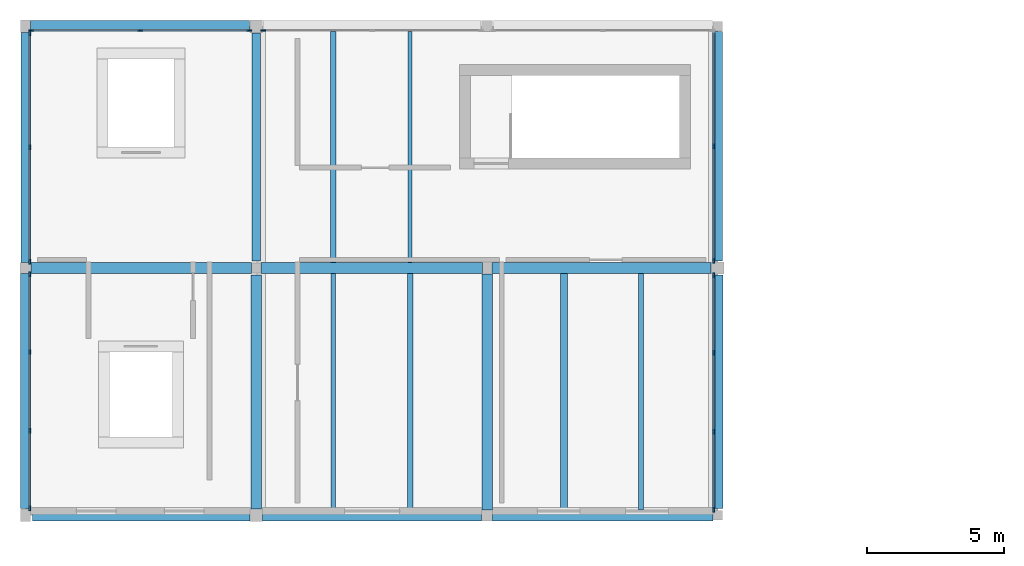
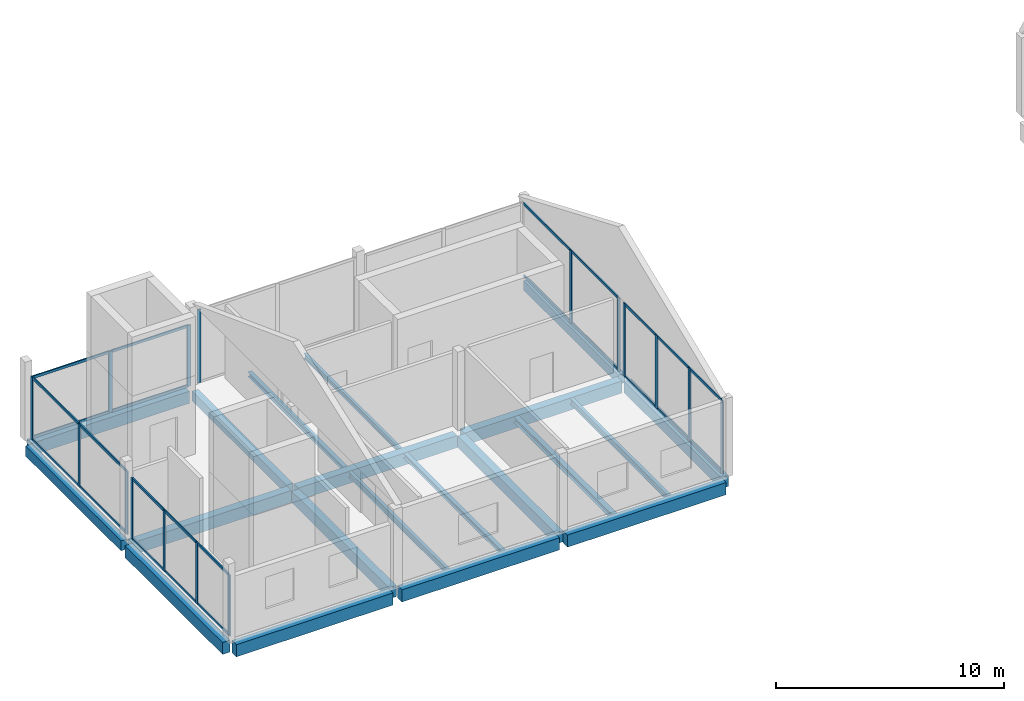
# One storey, part 2 of 13: 41 members, 20 beams, 6 elements without a shape of their own.
"""IFC4 building model written with IfcOpenShell, lengths in metres."""

from ifc_helpers import new_model, si_unit, direction, frame, origin, origin_2d, place, context, subcontext, project, spatial, rectangle, i_section, extrude, material, layer, layer_set, material_profile, profile_set, type_object, element, aggregate, save


model = new_model("IFC4")

# Units and contexts
model_context = context("Model", 3, precision=1e-05, world=origin(), true_north=direction((0.0, 1.0)))
body_context = subcontext(model_context, "Body", "Model", "MODEL_VIEW")
ifc_project = project(units=[si_unit("LENGTHUNIT", "METRE"), si_unit("AREAUNIT", "SQUARE_METRE"), si_unit("VOLUMEUNIT", "CUBIC_METRE"), si_unit("PLANEANGLEUNIT", "RADIAN"), si_unit("MASSUNIT", "GRAM", prefix="KILO")], contexts=[model_context])

# Site, building, storey
site_placement = place(None, origin())
site = spatial("IfcSite", under=ifc_project, at=site_placement, CompositionType="ELEMENT")
building_placement = place(site_placement, origin())
building = spatial("IfcBuilding", under=site, at=building_placement, Name="Birchvale Park Specialist Clinic", CompositionType="ELEMENT")
storey_placement = place(building_placement, frame((0.0, 0.0, 22.199951171875)))
storey = spatial("IfcBuildingStorey", under=building, at=storey_placement, Name="L05", CompositionType="ELEMENT", Elevation=22.199951171875)

# Beams
ifc_material_1 = material(Name="Concrete C40/50", Category="concrete")
ifc_material_profile_1 = material_profile(ifc_material_1, rectangle(XDim=0.3798828125, YDim=0.639892578125, at=origin_2d()), Name="RCB-380x640")
ifc_profile_set_1 = profile_set([ifc_material_profile_1], Name="Concrete C40/50")
beam_type_1 = type_object("IfcBeamType", Name="BM-EXT-BG5", PredefinedType="BEAM", material=ifc_profile_set_1)
beam_1_placement = place(storey_placement, frame((11.199951171875, 17.050048828125, -0.579833984375), z_axis=(0.0, 1.0, 0.0), x_axis=(-1.0, 0.0, 0.0)))
element("IfcBeam", 1, at=beam_1_placement, inside=storey, type_object=beam_type_1, Name="V2 L05 Y girder 10", PredefinedType="BEAM", context=body_context, shape_type="SweptSolid", body=[
    extrude(rectangle(XDim=0.3798828125, YDim=0.639892578125, at=origin_2d()), origin(), (0.0, 0.0, 1.0), 8.550048828125),
])
ifc_material_profile_2 = material_profile(ifc_material_1, rectangle(XDim=0.320068359375, YDim=0.5400390625, at=origin_2d()), Name="RCB-320x540")
ifc_profile_set_2 = profile_set([ifc_material_profile_2], Name="Concrete C40/50")
beam_type_2 = type_object("IfcBeamType", Name="BM-EXT-BG7", PredefinedType="BEAM", material=ifc_profile_set_2)
beam_2_placement = place(storey_placement, frame((11.199951171875, 26.0, -0.530029296875), z_axis=(0.0, 1.0, 0.0), x_axis=(-1.0, 0.0, 0.0)))
element("IfcBeam", 2, at=beam_2_placement, inside=storey, type_object=beam_type_2, Name="V2 L05 Y girder 11", PredefinedType="BEAM", context=body_context, shape_type="SweptSolid", body=[
    extrude(rectangle(XDim=0.320068359375, YDim=0.5400390625, at=origin_2d()), origin(), (0.0, 0.0, 1.0), 8.375),
])
ifc_material_profile_3 = material_profile(ifc_material_1, rectangle(XDim=0.39990234375, YDim=0.64990234375, at=origin_2d()), Name="RCB-400x650")
ifc_profile_set_3 = profile_set([ifc_material_profile_3], Name="Concrete C40/50")
beam_type_3 = type_object("IfcBeamType", Name="BM-INT-BG4", PredefinedType="BEAM", material=ifc_profile_set_3)
beam_3_placement = place(storey_placement, frame((11.449951171875, 16.800048828125, -0.5849609375), z_axis=(1.0, 0.0, 0.0), x_axis=(0.0, 1.0, 0.0)))
element("IfcBeam", 3, at=beam_3_placement, inside=storey, type_object=beam_type_3, Name="V2 L05 X girder 1", PredefinedType="BEAM", context=body_context, shape_type="SweptSolid", body=[
    extrude(rectangle(XDim=0.39990234375, YDim=0.64990234375, at=origin_2d()), origin(), (0.0, 0.0, 1.0), 7.925048828125),
])
beam_4_placement = place(storey_placement, frame((19.824951171875, 16.800048828125, -0.5849609375), z_axis=(1.0, 0.0, 0.0), x_axis=(0.0, 1.0, 0.0)))
element("IfcBeam", 4, at=beam_4_placement, inside=storey, type_object=beam_type_3, Name="V2 L05 X girder 2", PredefinedType="BEAM", context=body_context, shape_type="SweptSolid", body=[
    extrude(rectangle(XDim=0.39990234375, YDim=0.64990234375, at=origin_2d()), origin(), (0.0, 0.0, 1.0), 7.97509765625),
])
for number, where, z_axis, x_axis, name in (
    (5, (28.199951171875, 16.800048828125, -0.5849609375), (1.0, 0.0, 0.0), (0.0, 1.0, 0.0), "V2 L05 X girder 3"),
    (6, (11.39990234375, 25.800048828125, -0.5849609375), (1.0, 0.0, 0.0), (0.0, 1.0, 0.0), "V2 L05 X girder 4"),
):
    element("IfcBeam", number, at=place(storey_placement, frame(where, z_axis=z_axis, x_axis=x_axis)), inside=storey, type_object=beam_type_3, Name=name, PredefinedType="BEAM", context=body_context, shape_type="SweptSolid", body=[
        extrude(rectangle(XDim=0.39990234375, YDim=0.64990234375, at=origin_2d()), origin(), (0.0, 0.0, 1.0), 8.025146484375),
    ])
beam_5_placement = place(storey_placement, frame((19.77490234375, 25.800048828125, -0.5849609375), z_axis=(1.0, 0.0, 0.0), x_axis=(0.0, 1.0, 0.0)))
element("IfcBeam", 7, at=beam_5_placement, inside=storey, type_object=beam_type_3, Name="V2 L05 X girder 5", PredefinedType="BEAM", context=body_context, shape_type="SweptSolid", body=[
    extrude(rectangle(XDim=0.39990234375, YDim=0.64990234375, at=origin_2d()), origin(), (0.0, 0.0, 1.0), 8.050048828125),
])
beam_6_placement = place(storey_placement, frame((28.175048828125, 25.800048828125, -0.5849609375), z_axis=(1.0, 0.0, 0.0), x_axis=(0.0, 1.0, 0.0)))
element("IfcBeam", 8, at=beam_6_placement, inside=storey, type_object=beam_type_3, Name="V2 L05 X girder 6", PredefinedType="BEAM", context=body_context, shape_type="SweptSolid", body=[
    extrude(rectangle(XDim=0.39990234375, YDim=0.64990234375, at=origin_2d()), origin(), (0.0, 0.0, 1.0), 7.974853515625),
])
beam_7_placement = place(storey_placement, frame((11.375, 34.60009765625, -0.5849609375), z_axis=(1.0, 0.0, 0.0), x_axis=(0.0, 1.0, 0.0)))
element("IfcBeam", 9, at=beam_7_placement, inside=storey, type_object=beam_type_3, Name="V2 L05 X girder 7", PredefinedType="BEAM", context=body_context, shape_type="SweptSolid", body=[
    extrude(rectangle(XDim=0.39990234375, YDim=0.64990234375, at=origin_2d()), origin(), (0.0, 0.0, 1.0), 7.97509765625),
])
ifc_material_profile_4 = material_profile(ifc_material_1, rectangle(XDim=0.3798828125, YDim=0.60009765625, at=origin_2d()), Name="RCB-380x600")
ifc_profile_set_4 = profile_set([ifc_material_profile_4], Name="Concrete C40/50")
beam_type_4 = type_object("IfcBeamType", Name="BM-INT-BG5", PredefinedType="BEAM", material=ifc_profile_set_4)
beam_8_placement = place(storey_placement, frame((19.60009765625, 17.02490234375, -0.56005859375), z_axis=(0.0, 1.0, 0.0), x_axis=(-1.0, 0.0, 0.0)))
element("IfcBeam", 10, at=beam_8_placement, inside=storey, type_object=beam_type_4, Name="V2 L05 Y girder 12", PredefinedType="BEAM", context=body_context, shape_type="SweptSolid", body=[
    extrude(rectangle(XDim=0.3798828125, YDim=0.60009765625, at=origin_2d()), origin(), (0.0, 0.0, 1.0), 8.525146484375),
])
beam_9_placement = place(storey_placement, frame((28.0, 17.0, -0.56005859375), z_axis=(0.0, 1.0, 0.0), x_axis=(-1.0, 0.0, 0.0)))
element("IfcBeam", 11, at=beam_9_placement, inside=storey, type_object=beam_type_4, Name="V2 L05 Y girder 14", PredefinedType="BEAM", context=body_context, shape_type="SweptSolid", body=[
    extrude(rectangle(XDim=0.3798828125, YDim=0.60009765625, at=origin_2d()), origin(), (0.0, 0.0, 1.0), 8.574951171875),
])
beam_10_placement = place(storey_placement, frame((36.39990234375, 17.050048828125, -0.56005859375), z_axis=(0.0, 1.0, 0.0), x_axis=(-1.0, 0.0, 0.0)))
element("IfcBeam", 12, at=beam_10_placement, inside=storey, type_object=beam_type_4, Name="V2 L05 Y girder 15", PredefinedType="BEAM", context=body_context, shape_type="SweptSolid", body=[
    extrude(rectangle(XDim=0.3798828125, YDim=0.60009765625, at=origin_2d()), origin(), (0.0, 0.0, 1.0), 8.5),
])
ifc_material_profile_5 = material_profile(ifc_material_1, rectangle(XDim=0.320068359375, YDim=0.5, at=origin_2d()), Name="RCB-320x500")
ifc_profile_set_5 = profile_set([ifc_material_profile_5], Name="Concrete C40/50")
beam_type_5 = type_object("IfcBeamType", Name="BM-INT-BG7", PredefinedType="BEAM", material=ifc_profile_set_5)
beam_11_placement = place(storey_placement, frame((19.60009765625, 26.050048828125, -0.510009765625), z_axis=(0.0, 1.0, 0.0), x_axis=(-1.0, 0.0, 0.0)))
element("IfcBeam", 13, at=beam_11_placement, inside=storey, type_object=beam_type_5, Name="V2 L05 Y girder 13", PredefinedType="BEAM", context=body_context, shape_type="SweptSolid", body=[
    extrude(rectangle(XDim=0.320068359375, YDim=0.5, at=origin_2d()), origin(), (0.0, 0.0, 1.0), 8.300048828125),
])
beam_12_placement = place(storey_placement, frame((36.39990234375, 26.050048828125, -0.510009765625), z_axis=(0.0, 1.0, 0.0), x_axis=(-1.0, 0.0, 0.0)))
element("IfcBeam", 14, at=beam_12_placement, inside=storey, type_object=beam_type_5, Name="V2 L05 Y girder 16", PredefinedType="BEAM", context=body_context, shape_type="SweptSolid", body=[
    extrude(rectangle(XDim=0.320068359375, YDim=0.5, at=origin_2d()), origin(), (0.0, 0.0, 1.0), 8.349853515625),
])

# Curtain wall, members
ifc_material_2 = material(Name="Thermally broken anodised aluminium", Category="aluminium")
ifc_layer = layer(ifc_material_2, 0.195068359375)
ifc_layer_set = layer_set([ifc_layer], Name="Thermally broken anodised aluminium")
curtain_wall_type = type_object("IfcCurtainWallType", Name="CW-U2", PredefinedType="USERDEFINED", material=ifc_layer_set)
curtain_wall_1_placement = place(storey_placement, origin())
curtain_wall_1 = element("IfcCurtainWall", 15, at=curtain_wall_1_placement, inside=storey, type_object=curtain_wall_type, Name="V2 L05 glazed curtain wall 145", ObjectType="UNITISED", PredefinedType="USERDEFINED")
ifc_material_profile_6 = material_profile(ifc_material_2, rectangle(XDim=0.06494140625, YDim=0.179931640625, at=origin_2d()), Name="CWM-65x180")
ifc_profile_set_6 = profile_set([ifc_material_profile_6], Name="Thermally broken anodised aluminium")
member_type_1 = type_object("IfcMemberType", Name="CWM2", PredefinedType="MULLION", material=ifc_profile_set_6)
member_1_placement = place(storey_placement, frame((36.2451171875, 17.007568359375, 0.0), z_axis=(0.0, 0.0, 1.0), x_axis=(-1.0, 0.0, 0.0)))
member_1 = element("IfcMember", 16, at=member_1_placement, type_object=member_type_1, Name="CW mullion 1", PredefinedType="MULLION", context=body_context, shape_type="SweptSolid", body=[
    extrude(rectangle(XDim=0.06494140625, YDim=0.179931640625, at=origin_2d()), origin(), (0.0, 0.0, 1.0), 3.920166015625),
])
member_2_placement = place(storey_placement, frame((36.2451171875, 19.841552734375, 0.0), z_axis=(0.0, 0.0, 1.0), x_axis=(-1.0, 0.0, 0.0)))
member_2 = element("IfcMember", 17, at=member_2_placement, type_object=member_type_1, Name="CW mullion 2", PredefinedType="MULLION", context=body_context, shape_type="SweptSolid", body=[
    extrude(rectangle(XDim=0.06494140625, YDim=0.179931640625, at=origin_2d()), origin(), (0.0, 0.0, 1.0), 3.920166015625),
])
member_3_placement = place(storey_placement, frame((36.2451171875, 22.708251953125, 0.0), z_axis=(0.0, 0.0, 1.0), x_axis=(-1.0, 0.0, 0.0)))
member_3 = element("IfcMember", 18, at=member_3_placement, type_object=member_type_1, Name="CW mullion 3", PredefinedType="MULLION", context=body_context, shape_type="SweptSolid", body=[
    extrude(rectangle(XDim=0.06494140625, YDim=0.179931640625, at=origin_2d()), origin(), (0.0, 0.0, 1.0), 3.920166015625),
])
member_4_placement = place(storey_placement, frame((36.2451171875, 25.54248046875, 0.0), z_axis=(0.0, 0.0, 1.0), x_axis=(-1.0, 0.0, 0.0)))
member_4 = element("IfcMember", 19, at=member_4_placement, type_object=member_type_1, Name="CW mullion 4", PredefinedType="MULLION", context=body_context, shape_type="SweptSolid", body=[
    extrude(rectangle(XDim=0.06494140625, YDim=0.179931640625, at=origin_2d()), origin(), (0.0, 0.0, 1.0), 3.920166015625),
])

curtain_wall_2_placement = place(storey_placement, origin())
curtain_wall_2 = element("IfcCurtainWall", 20, at=curtain_wall_2_placement, inside=storey, type_object=curtain_wall_type, Name="V2 L05 glazed curtain wall 146", ObjectType="UNITISED", PredefinedType="USERDEFINED")
member_5_placement = place(storey_placement, frame((36.2451171875, 26.0576171875, 0.0), z_axis=(0.0, 0.0, 1.0), x_axis=(-1.0, 0.0, 0.0)))
member_5 = element("IfcMember", 21, at=member_5_placement, type_object=member_type_1, Name="CW mullion 1", PredefinedType="MULLION", context=body_context, shape_type="SweptSolid", body=[
    extrude(rectangle(XDim=0.06494140625, YDim=0.179931640625, at=origin_2d()), origin(), (0.0, 0.0, 1.0), 3.920166015625),
])
member_6_placement = place(storey_placement, frame((36.2451171875, 30.22509765625, 0.0), z_axis=(0.0, 0.0, 1.0), x_axis=(-1.0, 0.0, 0.0)))
member_6 = element("IfcMember", 22, at=member_6_placement, type_object=member_type_1, Name="CW mullion 2", PredefinedType="MULLION", context=body_context, shape_type="SweptSolid", body=[
    extrude(rectangle(XDim=0.06494140625, YDim=0.179931640625, at=origin_2d()), origin(), (0.0, 0.0, 1.0), 3.920166015625),
])

# Curtain wall, member
curtain_wall_3_placement = place(storey_placement, origin())
curtain_wall_3 = element("IfcCurtainWall", 23, at=curtain_wall_3_placement, inside=storey, type_object=curtain_wall_type, Name="V2 L05 glazed curtain wall 148", ObjectType="UNITISED", PredefinedType="USERDEFINED")
member_7_placement = place(storey_placement, frame((19.857421875, 34.445068359375, 0.0), z_axis=(0.0, 0.0, 1.0), x_axis=(0.0, -1.0, 0.0)))
member_7 = element("IfcMember", 24, at=member_7_placement, type_object=member_type_1, Name="CW mullion 3", PredefinedType="MULLION", context=body_context, shape_type="SweptSolid", body=[
    extrude(rectangle(XDim=0.06494140625, YDim=0.179931640625, at=origin_2d()), origin(), (0.0, 0.0, 1.0), 3.920166015625),
])
aggregate(curtain_wall_3, [member_7])

# Curtain wall, members
curtain_wall_4_placement = place(storey_placement, origin())
curtain_wall_4 = element("IfcCurtainWall", 25, at=curtain_wall_4_placement, inside=storey, type_object=curtain_wall_type, Name="V2 L05 glazed curtain wall 149", ObjectType="UNITISED", PredefinedType="USERDEFINED")
member_8_placement = place(storey_placement, frame((19.342529296875, 34.445068359375, 0.0), z_axis=(0.0, 0.0, 1.0), x_axis=(0.0, -1.0, 0.0)))
member_8 = element("IfcMember", 26, at=member_8_placement, type_object=member_type_1, Name="CW mullion 1", PredefinedType="MULLION", context=body_context, shape_type="SweptSolid", body=[
    extrude(rectangle(XDim=0.06494140625, YDim=0.179931640625, at=origin_2d()), origin(), (0.0, 0.0, 1.0), 3.260009765625),
])
member_9_placement = place(storey_placement, frame((15.375, 34.445068359375, 0.0), z_axis=(0.0, 0.0, 1.0), x_axis=(0.0, -1.0, 0.0)))
member_9 = element("IfcMember", 27, at=member_9_placement, type_object=member_type_1, Name="CW mullion 2", PredefinedType="MULLION", context=body_context, shape_type="SweptSolid", body=[
    extrude(rectangle(XDim=0.06494140625, YDim=0.179931640625, at=origin_2d()), origin(), (0.0, 0.0, 1.0), 3.260009765625),
])
member_10_placement = place(storey_placement, frame((11.407470703125, 34.445068359375, 0.0), z_axis=(0.0, 0.0, 1.0), x_axis=(0.0, -1.0, 0.0)))
member_10 = element("IfcMember", 28, at=member_10_placement, type_object=member_type_1, Name="CW mullion 3", PredefinedType="MULLION", context=body_context, shape_type="SweptSolid", body=[
    extrude(rectangle(XDim=0.06494140625, YDim=0.179931640625, at=origin_2d()), origin(), (0.0, 0.0, 1.0), 3.260009765625),
])

curtain_wall_5_placement = place(storey_placement, origin())
curtain_wall_5 = element("IfcCurtainWall", 29, at=curtain_wall_5_placement, inside=storey, type_object=curtain_wall_type, Name="V2 L05 glazed curtain wall 150", ObjectType="UNITISED", PredefinedType="USERDEFINED")
member_11_placement = place(storey_placement, frame((11.35498046875, 34.342529296875, 0.0), z_axis=(0.0, 0.0, 1.0), x_axis=(1.0, 0.0, 0.0)))
member_11 = element("IfcMember", 30, at=member_11_placement, type_object=member_type_1, Name="CW mullion 1", PredefinedType="MULLION", context=body_context, shape_type="SweptSolid", body=[
    extrude(rectangle(XDim=0.06494140625, YDim=0.179931640625, at=origin_2d()), origin(), (0.0, 0.0, 1.0), 3.3701171875),
])
member_12_placement = place(storey_placement, frame((11.35498046875, 30.1875, 0.0), z_axis=(0.0, 0.0, 1.0), x_axis=(1.0, 0.0, 0.0)))
member_12 = element("IfcMember", 31, at=member_12_placement, type_object=member_type_1, Name="CW mullion 2", PredefinedType="MULLION", context=body_context, shape_type="SweptSolid", body=[
    extrude(rectangle(XDim=0.06494140625, YDim=0.179931640625, at=origin_2d()), origin(), (0.0, 0.0, 1.0), 3.3701171875),
])
member_13_placement = place(storey_placement, frame((11.35498046875, 26.032470703125, 0.0), z_axis=(0.0, 0.0, 1.0), x_axis=(1.0, 0.0, 0.0)))
member_13 = element("IfcMember", 32, at=member_13_placement, type_object=member_type_1, Name="CW mullion 3", PredefinedType="MULLION", context=body_context, shape_type="SweptSolid", body=[
    extrude(rectangle(XDim=0.06494140625, YDim=0.179931640625, at=origin_2d()), origin(), (0.0, 0.0, 1.0), 3.3701171875),
])

curtain_wall_6_placement = place(storey_placement, origin())
curtain_wall_6 = element("IfcCurtainWall", 33, at=curtain_wall_6_placement, inside=storey, type_object=curtain_wall_type, Name="V2 L05 glazed curtain wall 151", ObjectType="UNITISED", PredefinedType="USERDEFINED")
member_14_placement = place(storey_placement, frame((11.35498046875, 25.5673828125, 0.0), z_axis=(0.0, 0.0, 1.0), x_axis=(1.0, 0.0, 0.0)))
member_14 = element("IfcMember", 34, at=member_14_placement, type_object=member_type_1, Name="CW mullion 1", PredefinedType="MULLION", context=body_context, shape_type="SweptSolid", body=[
    extrude(rectangle(XDim=0.06494140625, YDim=0.179931640625, at=origin_2d()), origin(), (0.0, 0.0, 1.0), 3.27001953125),
])
member_15_placement = place(storey_placement, frame((11.35498046875, 22.74169921875, 0.0), z_axis=(0.0, 0.0, 1.0), x_axis=(1.0, 0.0, 0.0)))
member_15 = element("IfcMember", 35, at=member_15_placement, type_object=member_type_1, Name="CW mullion 2", PredefinedType="MULLION", context=body_context, shape_type="SweptSolid", body=[
    extrude(rectangle(XDim=0.06494140625, YDim=0.179931640625, at=origin_2d()), origin(), (0.0, 0.0, 1.0), 3.27001953125),
])
member_16_placement = place(storey_placement, frame((11.35498046875, 19.88330078125, 0.0), z_axis=(0.0, 0.0, 1.0), x_axis=(1.0, 0.0, 0.0)))
member_16 = element("IfcMember", 36, at=member_16_placement, type_object=member_type_1, Name="CW mullion 3", PredefinedType="MULLION", context=body_context, shape_type="SweptSolid", body=[
    extrude(rectangle(XDim=0.06494140625, YDim=0.179931640625, at=origin_2d()), origin(), (0.0, 0.0, 1.0), 3.27001953125),
])
member_17_placement = place(storey_placement, frame((11.35498046875, 17.0576171875, 0.0), z_axis=(0.0, 0.0, 1.0), x_axis=(1.0, 0.0, 0.0)))
member_17 = element("IfcMember", 37, at=member_17_placement, type_object=member_type_1, Name="CW mullion 4", PredefinedType="MULLION", context=body_context, shape_type="SweptSolid", body=[
    extrude(rectangle(XDim=0.06494140625, YDim=0.179931640625, at=origin_2d()), origin(), (0.0, 0.0, 1.0), 3.27001953125),
])

# Member
ifc_material_profile_7 = material_profile(ifc_material_2, rectangle(XDim=0.06494140625, YDim=0.139892578125, at=origin_2d()), Name="CWT-65x140")
ifc_profile_set_7 = profile_set([ifc_material_profile_7], Name="Thermally broken anodised aluminium")
member_type_2 = type_object("IfcMemberType", Name="CWT2", PredefinedType="USERDEFINED", material=ifc_profile_set_7)
member_18_placement = place(storey_placement, frame((36.2451171875, 17.0400390625, 0.032470703125), z_axis=(0.0, 1.0, 0.0), x_axis=(-1.0, 0.0, 0.0)))
member_18 = element("IfcMember", 38, at=member_18_placement, type_object=member_type_2, Name="CW transom 1.1", ObjectType="TRANSOM", PredefinedType="USERDEFINED", context=body_context, shape_type="SweptSolid", body=[
    extrude(rectangle(XDim=0.06494140625, YDim=0.139892578125, at=origin_2d()), origin(), (0.0, 0.0, 1.0), 2.76904296875),
])

member_19_placement = place(storey_placement, frame((36.2451171875, 17.0400390625, 3.887451171875), z_axis=(0.0, 1.0, 0.0), x_axis=(-1.0, 0.0, 0.0)))
member_19 = element("IfcMember", 39, at=member_19_placement, type_object=member_type_2, Name="CW transom 1.2", ObjectType="TRANSOM", PredefinedType="USERDEFINED", context=body_context, shape_type="SweptSolid", body=[
    extrude(rectangle(XDim=0.06494140625, YDim=0.139892578125, at=origin_2d()), origin(), (0.0, 0.0, 1.0), 2.76904296875),
])

member_20_placement = place(storey_placement, frame((36.2451171875, 19.874267578125, 0.032470703125), z_axis=(0.0, 1.0, 0.0), x_axis=(-1.0, 0.0, 0.0)))
member_20 = element("IfcMember", 40, at=member_20_placement, type_object=member_type_2, Name="CW transom 2.1", ObjectType="TRANSOM", PredefinedType="USERDEFINED", context=body_context, shape_type="SweptSolid", body=[
    extrude(rectangle(XDim=0.06494140625, YDim=0.139892578125, at=origin_2d()), origin(), (0.0, 0.0, 1.0), 2.801513671875),
])

member_21_placement = place(storey_placement, frame((36.2451171875, 19.874267578125, 3.887451171875), z_axis=(0.0, 1.0, 0.0), x_axis=(-1.0, 0.0, 0.0)))
member_21 = element("IfcMember", 41, at=member_21_placement, type_object=member_type_2, Name="CW transom 2.2", ObjectType="TRANSOM", PredefinedType="USERDEFINED", context=body_context, shape_type="SweptSolid", body=[
    extrude(rectangle(XDim=0.06494140625, YDim=0.139892578125, at=origin_2d()), origin(), (0.0, 0.0, 1.0), 2.801513671875),
])

member_22_placement = place(storey_placement, frame((36.2451171875, 22.74072265625, 0.032470703125), z_axis=(0.0, 1.0, 0.0), x_axis=(-1.0, 0.0, 0.0)))
member_22 = element("IfcMember", 42, at=member_22_placement, type_object=member_type_2, Name="CW transom 3.1", ObjectType="TRANSOM", PredefinedType="USERDEFINED", context=body_context, shape_type="SweptSolid", body=[
    extrude(rectangle(XDim=0.06494140625, YDim=0.139892578125, at=origin_2d()), origin(), (0.0, 0.0, 1.0), 2.769287109375),
])

member_23_placement = place(storey_placement, frame((36.2451171875, 22.74072265625, 3.887451171875), z_axis=(0.0, 1.0, 0.0), x_axis=(-1.0, 0.0, 0.0)))
member_23 = element("IfcMember", 43, at=member_23_placement, type_object=member_type_2, Name="CW transom 3.2", ObjectType="TRANSOM", PredefinedType="USERDEFINED", context=body_context, shape_type="SweptSolid", body=[
    extrude(rectangle(XDim=0.06494140625, YDim=0.139892578125, at=origin_2d()), origin(), (0.0, 0.0, 1.0), 2.769287109375),
])

aggregate(curtain_wall_1, [member_1, member_2, member_3, member_4, member_18, member_19, member_20, member_21, member_22, member_23])

member_24_placement = place(storey_placement, frame((36.2451171875, 26.090087890625, 0.032470703125), z_axis=(0.0, 1.0, 0.0), x_axis=(-1.0, 0.0, 0.0)))
member_24 = element("IfcMember", 44, at=member_24_placement, type_object=member_type_2, Name="CW transom 1.1", ObjectType="TRANSOM", PredefinedType="USERDEFINED", context=body_context, shape_type="SweptSolid", body=[
    extrude(rectangle(XDim=0.06494140625, YDim=0.139892578125, at=origin_2d()), origin(), (0.0, 0.0, 1.0), 4.102294921875),
])

member_25_placement = place(storey_placement, frame((36.2451171875, 26.090087890625, 3.887451171875), z_axis=(0.0, 1.0, 0.0), x_axis=(-1.0, 0.0, 0.0)))
member_25 = element("IfcMember", 45, at=member_25_placement, type_object=member_type_2, Name="CW transom 1.2", ObjectType="TRANSOM", PredefinedType="USERDEFINED", context=body_context, shape_type="SweptSolid", body=[
    extrude(rectangle(XDim=0.06494140625, YDim=0.139892578125, at=origin_2d()), origin(), (0.0, 0.0, 1.0), 4.102294921875),
])

member_26_placement = place(storey_placement, frame((36.2451171875, 30.257568359375, 0.032470703125), z_axis=(0.0, 1.0, 0.0), x_axis=(-1.0, 0.0, 0.0)))
member_26 = element("IfcMember", 46, at=member_26_placement, type_object=member_type_2, Name="CW transom 2.1", ObjectType="TRANSOM", PredefinedType="USERDEFINED", context=body_context, shape_type="SweptSolid", body=[
    extrude(rectangle(XDim=0.06494140625, YDim=0.139892578125, at=origin_2d()), origin(), (0.0, 0.0, 1.0), 4.1025390625),
])

member_27_placement = place(storey_placement, frame((36.2451171875, 30.257568359375, 3.887451171875), z_axis=(0.0, 1.0, 0.0), x_axis=(-1.0, 0.0, 0.0)))
member_27 = element("IfcMember", 47, at=member_27_placement, type_object=member_type_2, Name="CW transom 2.2", ObjectType="TRANSOM", PredefinedType="USERDEFINED", context=body_context, shape_type="SweptSolid", body=[
    extrude(rectangle(XDim=0.06494140625, YDim=0.139892578125, at=origin_2d()), origin(), (0.0, 0.0, 1.0), 4.1025390625),
])

aggregate(curtain_wall_2, [member_5, member_6, member_24, member_25, member_26, member_27])

member_28_placement = place(storey_placement, frame((19.31005859375, 34.445068359375, 0.032470703125), z_axis=(-1.0, 0.0, 0.0), x_axis=(0.0, -1.0, 0.0)))
member_28 = element("IfcMember", 48, at=member_28_placement, type_object=member_type_2, Name="CW transom 1.1", ObjectType="TRANSOM", PredefinedType="USERDEFINED", context=body_context, shape_type="SweptSolid", body=[
    extrude(rectangle(XDim=0.06494140625, YDim=0.139892578125, at=origin_2d()), origin(), (0.0, 0.0, 1.0), 3.902587890625),
])

member_29_placement = place(storey_placement, frame((19.31005859375, 34.445068359375, 3.2275390625), z_axis=(-1.0, 0.0, 0.0), x_axis=(0.0, -1.0, 0.0)))
member_29 = element("IfcMember", 49, at=member_29_placement, type_object=member_type_2, Name="CW transom 1.2", ObjectType="TRANSOM", PredefinedType="USERDEFINED", context=body_context, shape_type="SweptSolid", body=[
    extrude(rectangle(XDim=0.06494140625, YDim=0.139892578125, at=origin_2d()), origin(), (0.0, 0.0, 1.0), 3.902587890625),
])

member_30_placement = place(storey_placement, frame((15.342529296875, 34.445068359375, 0.032470703125), z_axis=(-1.0, 0.0, 0.0), x_axis=(0.0, -1.0, 0.0)))
member_30 = element("IfcMember", 50, at=member_30_placement, type_object=member_type_2, Name="CW transom 2.1", ObjectType="TRANSOM", PredefinedType="USERDEFINED", context=body_context, shape_type="SweptSolid", body=[
    extrude(rectangle(XDim=0.06494140625, YDim=0.139892578125, at=origin_2d()), origin(), (0.0, 0.0, 1.0), 3.902587890625),
])

member_31_placement = place(storey_placement, frame((15.342529296875, 34.445068359375, 3.2275390625), z_axis=(-1.0, 0.0, 0.0), x_axis=(0.0, -1.0, 0.0)))
member_31 = element("IfcMember", 51, at=member_31_placement, type_object=member_type_2, Name="CW transom 2.2", ObjectType="TRANSOM", PredefinedType="USERDEFINED", context=body_context, shape_type="SweptSolid", body=[
    extrude(rectangle(XDim=0.06494140625, YDim=0.139892578125, at=origin_2d()), origin(), (0.0, 0.0, 1.0), 3.902587890625),
])

aggregate(curtain_wall_4, [member_8, member_9, member_10, member_28, member_29, member_30, member_31])

member_32_placement = place(storey_placement, frame((11.35498046875, 34.31005859375, 0.032470703125), z_axis=(0.0, -1.0, 0.0), x_axis=(1.0, 0.0, 0.0)))
member_32 = element("IfcMember", 52, at=member_32_placement, type_object=member_type_2, Name="CW transom 1.1", ObjectType="TRANSOM", PredefinedType="USERDEFINED", context=body_context, shape_type="SweptSolid", body=[
    extrude(rectangle(XDim=0.06494140625, YDim=0.139892578125, at=origin_2d()), origin(), (0.0, 0.0, 1.0), 4.090087890625),
])

member_33_placement = place(storey_placement, frame((11.35498046875, 34.31005859375, 3.337646484375), z_axis=(0.0, -1.0, 0.0), x_axis=(1.0, 0.0, 0.0)))
member_33 = element("IfcMember", 53, at=member_33_placement, type_object=member_type_2, Name="CW transom 1.2", ObjectType="TRANSOM", PredefinedType="USERDEFINED", context=body_context, shape_type="SweptSolid", body=[
    extrude(rectangle(XDim=0.06494140625, YDim=0.139892578125, at=origin_2d()), origin(), (0.0, 0.0, 1.0), 4.090087890625),
])

member_34_placement = place(storey_placement, frame((11.35498046875, 30.155029296875, 0.032470703125), z_axis=(0.0, -1.0, 0.0), x_axis=(1.0, 0.0, 0.0)))
member_34 = element("IfcMember", 54, at=member_34_placement, type_object=member_type_2, Name="CW transom 2.1", ObjectType="TRANSOM", PredefinedType="USERDEFINED", context=body_context, shape_type="SweptSolid", body=[
    extrude(rectangle(XDim=0.06494140625, YDim=0.139892578125, at=origin_2d()), origin(), (0.0, 0.0, 1.0), 4.090087890625),
])

member_35_placement = place(storey_placement, frame((11.35498046875, 30.155029296875, 3.337646484375), z_axis=(0.0, -1.0, 0.0), x_axis=(1.0, 0.0, 0.0)))
member_35 = element("IfcMember", 55, at=member_35_placement, type_object=member_type_2, Name="CW transom 2.2", ObjectType="TRANSOM", PredefinedType="USERDEFINED", context=body_context, shape_type="SweptSolid", body=[
    extrude(rectangle(XDim=0.06494140625, YDim=0.139892578125, at=origin_2d()), origin(), (0.0, 0.0, 1.0), 4.090087890625),
])

aggregate(curtain_wall_5, [member_11, member_12, member_13, member_32, member_33, member_34, member_35])

member_36_placement = place(storey_placement, frame((11.35498046875, 25.534912109375, 0.032470703125), z_axis=(0.0, -1.0, 0.0), x_axis=(1.0, 0.0, 0.0)))
member_36 = element("IfcMember", 56, at=member_36_placement, type_object=member_type_2, Name="CW transom 1.1", ObjectType="TRANSOM", PredefinedType="USERDEFINED", context=body_context, shape_type="SweptSolid", body=[
    extrude(rectangle(XDim=0.06494140625, YDim=0.139892578125, at=origin_2d()), origin(), (0.0, 0.0, 1.0), 2.7607421875),
])

member_37_placement = place(storey_placement, frame((11.35498046875, 25.534912109375, 3.237548828125), z_axis=(0.0, -1.0, 0.0), x_axis=(1.0, 0.0, 0.0)))
member_37 = element("IfcMember", 57, at=member_37_placement, type_object=member_type_2, Name="CW transom 1.2", ObjectType="TRANSOM", PredefinedType="USERDEFINED", context=body_context, shape_type="SweptSolid", body=[
    extrude(rectangle(XDim=0.06494140625, YDim=0.139892578125, at=origin_2d()), origin(), (0.0, 0.0, 1.0), 2.7607421875),
])

member_38_placement = place(storey_placement, frame((11.35498046875, 22.709228515625, 0.032470703125), z_axis=(0.0, -1.0, 0.0), x_axis=(1.0, 0.0, 0.0)))
member_38 = element("IfcMember", 58, at=member_38_placement, type_object=member_type_2, Name="CW transom 2.1", ObjectType="TRANSOM", PredefinedType="USERDEFINED", context=body_context, shape_type="SweptSolid", body=[
    extrude(rectangle(XDim=0.06494140625, YDim=0.139892578125, at=origin_2d()), origin(), (0.0, 0.0, 1.0), 2.79345703125),
])

member_39_placement = place(storey_placement, frame((11.35498046875, 22.709228515625, 3.237548828125), z_axis=(0.0, -1.0, 0.0), x_axis=(1.0, 0.0, 0.0)))
member_39 = element("IfcMember", 59, at=member_39_placement, type_object=member_type_2, Name="CW transom 2.2", ObjectType="TRANSOM", PredefinedType="USERDEFINED", context=body_context, shape_type="SweptSolid", body=[
    extrude(rectangle(XDim=0.06494140625, YDim=0.139892578125, at=origin_2d()), origin(), (0.0, 0.0, 1.0), 2.79345703125),
])

member_40_placement = place(storey_placement, frame((11.35498046875, 19.850830078125, 0.032470703125), z_axis=(0.0, -1.0, 0.0), x_axis=(1.0, 0.0, 0.0)))
member_40 = element("IfcMember", 60, at=member_40_placement, type_object=member_type_2, Name="CW transom 3.1", ObjectType="TRANSOM", PredefinedType="USERDEFINED", context=body_context, shape_type="SweptSolid", body=[
    extrude(rectangle(XDim=0.06494140625, YDim=0.139892578125, at=origin_2d()), origin(), (0.0, 0.0, 1.0), 2.7607421875),
])

member_41_placement = place(storey_placement, frame((11.35498046875, 19.850830078125, 3.237548828125), z_axis=(0.0, -1.0, 0.0), x_axis=(1.0, 0.0, 0.0)))
member_41 = element("IfcMember", 61, at=member_41_placement, type_object=member_type_2, Name="CW transom 3.2", ObjectType="TRANSOM", PredefinedType="USERDEFINED", context=body_context, shape_type="SweptSolid", body=[
    extrude(rectangle(XDim=0.06494140625, YDim=0.139892578125, at=origin_2d()), origin(), (0.0, 0.0, 1.0), 2.7607421875),
])

aggregate(curtain_wall_6, [member_14, member_15, member_16, member_17, member_36, member_37, member_38, member_39, member_40, member_41])

# Beams
ifc_material_3 = material(Name="Steel ASTM A992 Grade 50", Category="steel")
ifc_material_profile_8 = material_profile(ifc_material_3, i_section(OverallWidth=0.25390625, OverallDepth=0.305908203125, WebThickness=0.0087890625, FlangeThickness=0.0146484375, at=origin_2d()), Name="W12X53")
ifc_profile_set_8 = profile_set([ifc_material_profile_8], Name="Steel ASTM A992 Grade 50")
beam_type_6 = type_object("IfcBeamType", Name="STL-INT-SJ2", PredefinedType="JOIST", material=ifc_profile_set_8)
beam_13_placement = place(storey_placement, frame((30.800048828125, 17.0, -0.412841796875), z_axis=(0.0, 1.0, 0.0), x_axis=(-1.0, 0.0, 0.0)))
element("IfcBeam", 62, at=beam_13_placement, inside=storey, type_object=beam_type_6, Name="V2 L05 secondary floor joist 5", PredefinedType="JOIST", context=body_context, shape_type="SweptSolid", body=[
    extrude(i_section(OverallWidth=0.25390625, OverallDepth=0.305908203125, WebThickness=0.0087890625, FlangeThickness=0.0146484375, at=origin_2d()), origin(), (0.0, 0.0, 1.0), 8.60009765625),
])
ifc_material_profile_9 = material_profile(ifc_material_3, i_section(OverallWidth=0.1669921875, OverallDepth=0.31689453125, WebThickness=0.007568359375, FlangeThickness=0.01318359375, at=origin_2d()), Name="W12X35")
ifc_profile_set_9 = profile_set([ifc_material_profile_9], Name="Steel ASTM A992 Grade 50")
beam_type_7 = type_object("IfcBeamType", Name="STL-INT-SJ3", PredefinedType="JOIST", material=ifc_profile_set_9)
for number, where, z_axis, x_axis, name in (
    (63, (22.39990234375, 17.0, -0.41845703125), (0.0, 1.0, 0.0), (-1.0, 0.0, 0.0), "V2 L05 secondary floor joist 1"),
    (64, (33.60009765625, 17.0, -0.41845703125), (0.0, 1.0, 0.0), (-1.0, 0.0, 0.0), "V2 L05 secondary floor joist 6"),
):
    element("IfcBeam", number, at=place(storey_placement, frame(where, z_axis=z_axis, x_axis=x_axis)), inside=storey, type_object=beam_type_7, Name=name, PredefinedType="JOIST", context=body_context, shape_type="SweptSolid", body=[
        extrude(i_section(OverallWidth=0.1669921875, OverallDepth=0.31689453125, WebThickness=0.007568359375, FlangeThickness=0.01318359375, at=origin_2d()), origin(), (0.0, 0.0, 1.0), 8.60009765625),
    ])
ifc_material_profile_10 = material_profile(ifc_material_3, i_section(OverallWidth=0.202880859375, OverallDepth=0.251953125, WebThickness=0.008056640625, FlangeThickness=0.013427734375, at=origin_2d()), Name="W10X39")
ifc_profile_set_10 = profile_set([ifc_material_profile_10], Name="Steel ASTM A992 Grade 50")
beam_type_8 = type_object("IfcBeamType", Name="STL-INT-SJ4", PredefinedType="JOIST", material=ifc_profile_set_10)
beam_14_placement = place(storey_placement, frame((25.199951171875, 17.0, -0.385986328125), z_axis=(0.0, 1.0, 0.0), x_axis=(-1.0, 0.0, 0.0)))
element("IfcBeam", 65, at=beam_14_placement, inside=storey, type_object=beam_type_8, Name="V2 L05 secondary floor joist 2", PredefinedType="JOIST", context=body_context, shape_type="SweptSolid", body=[
    extrude(i_section(OverallWidth=0.202880859375, OverallDepth=0.251953125, WebThickness=0.008056640625, FlangeThickness=0.013427734375, at=origin_2d()), origin(), (0.0, 0.0, 1.0), 8.60009765625),
])
beam_15_placement = place(storey_placement, frame((22.39990234375, 26.0, -0.385986328125), z_axis=(0.0, 1.0, 0.0), x_axis=(-1.0, 0.0, 0.0)))
element("IfcBeam", 66, at=beam_15_placement, inside=storey, type_object=beam_type_8, Name="V2 L05 secondary floor joist 3", PredefinedType="JOIST", context=body_context, shape_type="SweptSolid", body=[
    extrude(i_section(OverallWidth=0.202880859375, OverallDepth=0.251953125, WebThickness=0.008056640625, FlangeThickness=0.013427734375, at=origin_2d()), origin(), (0.0, 0.0, 1.0), 8.39990234375),
])
ifc_material_profile_11 = material_profile(ifc_material_3, i_section(OverallWidth=0.14697265625, OverallDepth=0.261962890625, WebThickness=0.006591796875, FlangeThickness=0.01123046875, at=origin_2d()), Name="W10X26")
ifc_profile_set_11 = profile_set([ifc_material_profile_11], Name="Steel ASTM A992 Grade 50")
beam_type_9 = type_object("IfcBeamType", Name="STL-INT-SJ5", PredefinedType="JOIST", material=ifc_profile_set_11)
beam_16_placement = place(storey_placement, frame((25.199951171875, 26.0, -0.390869140625), z_axis=(0.0, 1.0, 0.0), x_axis=(-1.0, 0.0, 0.0)))
element("IfcBeam", 67, at=beam_16_placement, inside=storey, type_object=beam_type_9, Name="V2 L05 secondary floor joist 4", PredefinedType="JOIST", context=body_context, shape_type="SweptSolid", body=[
    extrude(i_section(OverallWidth=0.14697265625, OverallDepth=0.261962890625, WebThickness=0.006591796875, FlangeThickness=0.01123046875, at=origin_2d()), origin(), (0.0, 0.0, 1.0), 8.39990234375),
])

save(model, "model.ifc")
